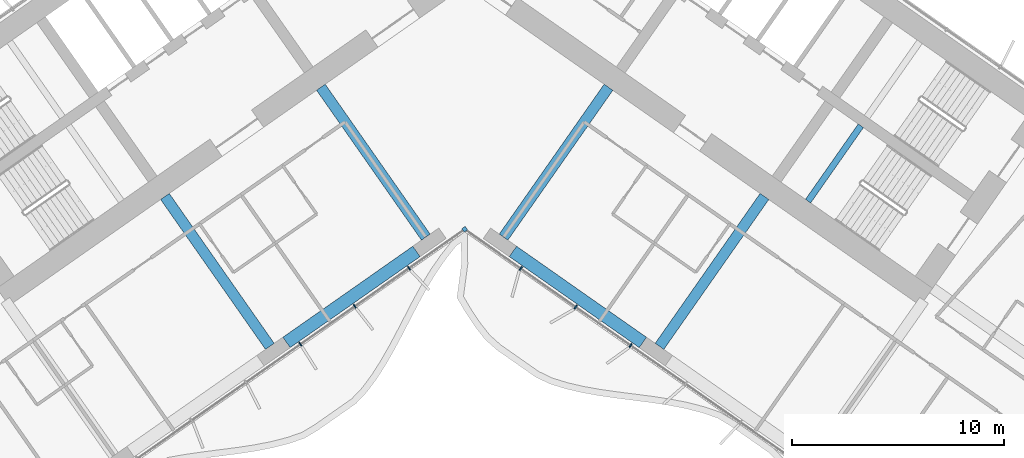
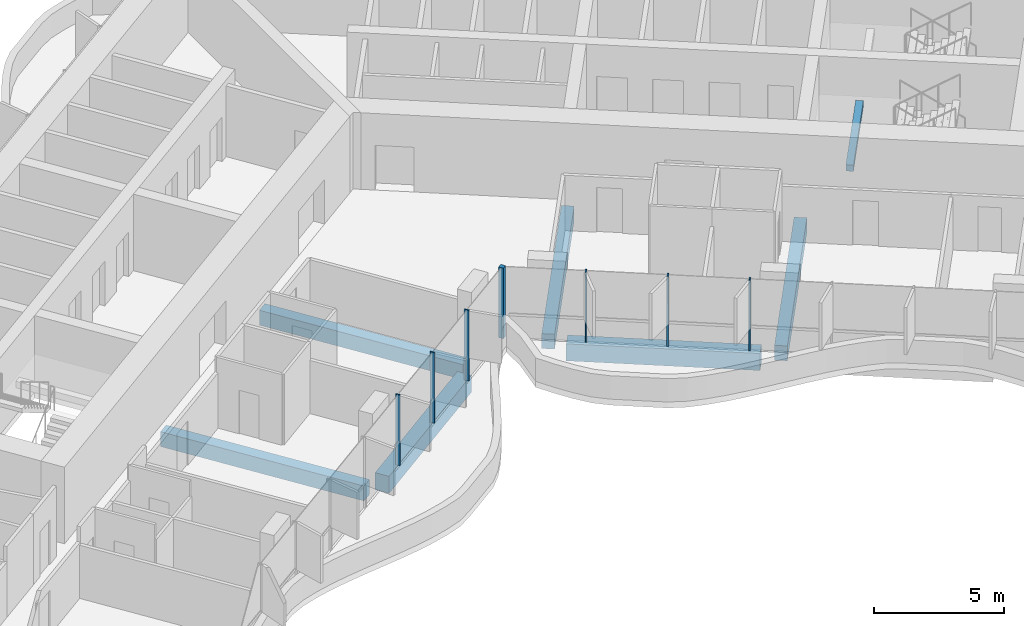
# One storey, part 6 of 23: 7 beams, 7 members, 1 element without a shape of its own.
"""IFC4 building model written with IfcOpenShell, lengths in metres."""

from ifc_helpers import new_model, si_unit, direction, frame, origin, origin_2d, place, context, subcontext, project, spatial, rectangle, extrude, material, material_profile, profile_set, type_object, element, aggregate, save


model = new_model("IFC4")

# Units and contexts
model_context = context("Model", 3, precision=1e-05, world=origin(), true_north=direction((0.0, 1.0)))
body_context = subcontext(model_context, "Body", "Model", "MODEL_VIEW")
ifc_project = project(units=[si_unit("LENGTHUNIT", "METRE"), si_unit("AREAUNIT", "SQUARE_METRE"), si_unit("VOLUMEUNIT", "CUBIC_METRE"), si_unit("PLANEANGLEUNIT", "RADIAN"), si_unit("MASSUNIT", "GRAM", prefix="KILO")], contexts=[model_context])

# Site, building, storey
site_placement = place(None, origin())
site = spatial("IfcSite", under=ifc_project, at=site_placement, CompositionType="ELEMENT")
building_placement = place(site_placement, origin())
building = spatial("IfcBuilding", under=site, at=building_placement, Name="Tel Ilan Convention Tower", CompositionType="ELEMENT")
storey_placement = place(building_placement, frame((0.0, 0.0, 83.300048828125)))
storey = spatial("IfcBuildingStorey", under=building, at=storey_placement, Name="L16", CompositionType="ELEMENT", Elevation=83.300048828125)

# Beams
ifc_material_1 = material(Name="Concrete C40/50", Category="concrete")
ifc_material_profile_1 = material_profile(ifc_material_1, rectangle(XDim=0.5, YDim=0.699951171875, at=origin_2d()), Name="RC 500x700")
ifc_profile_set_1 = profile_set([ifc_material_profile_1], Name="Concrete C40/50")
beam_type_1 = type_object("IfcBeamType", Name="Beam RC 500x700 Concrete C40/50", PredefinedType="BEAM", material=ifc_profile_set_1)
for number, where, z_axis, x_axis, name in (
    (1, (-1.83740234375, -13.06689453125, -0.630126953125), (-0.573574099654, 0.819153680457, 0.0), (-0.819153680457, -0.573574099654, 0.0), "L16 beam W-W-F1-core"),
    (2, (-9.209716796875, -18.229248046875, -0.630126953125), (-0.573574099654, 0.819153680457, 0.0), (-0.819153680457, -0.573574099654, 0.0), "L16 beam W-W-F2-core"),
    (3, (1.83740234375, -13.06689453125, -0.630126953125), (0.573574099654, 0.819153680457, 0.0), (-0.819153680457, 0.573574099654, 0.0), "L16 beam E-E-F1-core"),
    (4, (9.209716796875, -18.229248046875, -0.630126953125), (0.573574099654, 0.819153680457, 0.0), (-0.819153680457, 0.573574099654, 0.0), "L16 beam E-E-F2-core"),
):
    element("IfcBeam", number, at=place(storey_placement, frame(where, z_axis=z_axis, x_axis=x_axis)), inside=storey, type_object=beam_type_1, Name=name, PredefinedType="BEAM", context=body_context, shape_type="SweptSolid", body=[
        extrude(rectangle(XDim=0.5, YDim=0.699951171875, at=origin_2d()), origin(), (0.0, 0.0, 1.0), 8.64990234375),
    ])
ifc_material_2 = material(Name="Concrete C40/50", Category="concrete")
ifc_material_profile_2 = material_profile(ifc_material_2, rectangle(XDim=0.60009765625, YDim=0.800048828125, at=origin_2d()), Name="RC 600x800")
ifc_profile_set_2 = profile_set([ifc_material_profile_2], Name="Concrete C40/50")
beam_type_2 = type_object("IfcBeamType", Name="Beam RC 600x800 Concrete C40/50", PredefinedType="BEAM", material=ifc_profile_set_2)
for number, where, z_axis, x_axis, name in (
    (5, (-2.279541015625, -13.742919921875, -0.679931640625), (-0.819147803225, -0.57358249317, 0.0), (0.57358249317, -0.819147803225, 0.0), "L16 beam W-W-F1-W-F2"),
    (6, (2.279541015625, -13.742919921875, -0.679931640625), (0.819147803225, -0.57358249317, 0.0), (0.57358249317, 0.819147803225, 0.0), "L16 beam E-E-F1-E-F2"),
):
    element("IfcBeam", number, at=place(storey_placement, frame(where, z_axis=z_axis, x_axis=x_axis)), inside=storey, type_object=beam_type_2, Name=name, PredefinedType="BEAM", context=body_context, shape_type="SweptSolid", body=[
        extrude(rectangle(XDim=0.60009765625, YDim=0.800048828125, at=origin_2d()), origin(), (0.0, 0.0, 1.0), 7.500244140625),
    ])

# Curtain wall, members
ifc_material_3 = material(Name="Aluminium, bronze anodised", Category="aluminium")
curtain_wall_type = type_object("IfcCurtainWallType", Name="CW1 UNITISED CURTAIN WALL, HOTEL TINTED GLASS", PredefinedType="NOTDEFINED", material=ifc_material_3)
curtain_wall_placement = place(storey_placement, origin())
curtain_wall = element("IfcCurtainWall", 7, at=curtain_wall_placement, inside=storey, type_object=curtain_wall_type, Name="Curtain wall CW1-15.02", PredefinedType="NOTDEFINED")
ifc_material_4 = material(Name="Aluminium, bronze anodised", Category="aluminium")
ifc_material_profile_3 = material_profile(ifc_material_4, rectangle(XDim=0.199951171875, YDim=0.199951171875, at=origin_2d()), Name="CW CORNER MULLION 200x200")
ifc_profile_set_3 = profile_set([ifc_material_profile_3], Name="Aluminium, bronze anodised")
member_type_1 = type_object("IfcMemberType", Name="CW CORNER MULLION 200x200", PredefinedType="MULLION", material=ifc_profile_set_3)
member_1_placement = place(storey_placement, frame((0.0, -12.696044921875, 0.0), z_axis=(0.0, 0.0, 1.0), x_axis=(0.819152044289, 0.573576436351, 0.0)))
member_1 = element("IfcMember", 8, at=member_1_placement, type_object=member_type_1, Name="Corner mullion", PredefinedType="MULLION", context=body_context, shape_type="SweptSolid", body=[
    extrude(rectangle(XDim=0.199951171875, YDim=0.199951171875, at=origin_2d()), origin(), (0.0, 0.0, 1.0), 3.320068359375),
])
ifc_material_5 = material(Name="Aluminium, bronze anodised", Category="aluminium")
ifc_material_profile_4 = material_profile(ifc_material_5, rectangle(XDim=0.06005859375, YDim=0.199951171875, at=origin_2d()), Name="CW MULLION 60x200")
ifc_profile_set_4 = profile_set([ifc_material_profile_4], Name="Aluminium, bronze anodised")
member_type_2 = type_object("IfcMemberType", Name="CW MULLION 60x200", PredefinedType="MULLION", material=ifc_profile_set_4)
member_2_placement = place(storey_placement, frame((-7.76708984375, -18.134765625, 0.0), z_axis=(0.0, 0.0, 1.0), x_axis=(0.819152044289, 0.573576436351, 0.0)))
member_2 = element("IfcMember", 9, at=member_2_placement, type_object=member_type_2, Name="Mullion", PredefinedType="MULLION", context=body_context, shape_type="SweptSolid", body=[
    extrude(rectangle(XDim=0.06005859375, YDim=0.199951171875, at=origin_2d()), origin(), (0.0, 0.0, 1.0), 3.320068359375),
])
member_3_placement = place(storey_placement, frame((-5.197265625, -16.335205078125, 0.0), z_axis=(0.0, 0.0, 1.0), x_axis=(0.819152044289, 0.573576436351, 0.0)))
member_3 = element("IfcMember", 10, at=member_3_placement, type_object=member_type_2, Name="Mullion", PredefinedType="MULLION", context=body_context, shape_type="SweptSolid", body=[
    extrude(rectangle(XDim=0.06005859375, YDim=0.199951171875, at=origin_2d()), origin(), (0.0, 0.0, 1.0), 3.320068359375),
])
member_4_placement = place(storey_placement, frame((-2.627197265625, -14.53564453125, 0.0), z_axis=(0.0, 0.0, 1.0), x_axis=(0.819152044289, 0.573576436351, 0.0)))
member_4 = element("IfcMember", 11, at=member_4_placement, type_object=member_type_2, Name="Mullion", PredefinedType="MULLION", context=body_context, shape_type="SweptSolid", body=[
    extrude(rectangle(XDim=0.06005859375, YDim=0.199951171875, at=origin_2d()), origin(), (0.0, 0.0, 1.0), 3.320068359375),
])
member_5_placement = place(storey_placement, frame((2.65234375, -14.55322265625, 0.0), z_axis=(0.0, 0.0, 1.0), x_axis=(0.819152044289, -0.573576436351, 0.0)))
member_5 = element("IfcMember", 12, at=member_5_placement, type_object=member_type_2, Name="Mullion", PredefinedType="MULLION", context=body_context, shape_type="SweptSolid", body=[
    extrude(rectangle(XDim=0.06005859375, YDim=0.199951171875, at=origin_2d()), origin(), (0.0, 0.0, 1.0), 3.320068359375),
])
member_6_placement = place(storey_placement, frame((5.24755859375, -16.370361328125, 0.0), z_axis=(0.0, 0.0, 1.0), x_axis=(0.819152044289, -0.573576436351, 0.0)))
member_6 = element("IfcMember", 13, at=member_6_placement, type_object=member_type_2, Name="Mullion", PredefinedType="MULLION", context=body_context, shape_type="SweptSolid", body=[
    extrude(rectangle(XDim=0.06005859375, YDim=0.199951171875, at=origin_2d()), origin(), (0.0, 0.0, 1.0), 3.320068359375),
])
member_7_placement = place(storey_placement, frame((7.842529296875, -18.1875, 0.0), z_axis=(0.0, 0.0, 1.0), x_axis=(0.819152044289, -0.573576436351, 0.0)))
member_7 = element("IfcMember", 14, at=member_7_placement, type_object=member_type_2, Name="Mullion", PredefinedType="MULLION", context=body_context, shape_type="SweptSolid", body=[
    extrude(rectangle(XDim=0.06005859375, YDim=0.199951171875, at=origin_2d()), origin(), (0.0, 0.0, 1.0), 3.320068359375),
])
aggregate(curtain_wall, [member_2, member_3, member_4, member_1, member_5, member_6, member_7])

# Beam
ifc_material_6 = material(Name="Concrete C40/50", Category="concrete")
ifc_material_profile_5 = material_profile(ifc_material_6, rectangle(XDim=0.300048828125, YDim=0.300048828125, at=origin_2d()), Name="RC 300x300")
ifc_profile_set_5 = profile_set([ifc_material_profile_5], Name="Concrete C40/50")
beam_type_3 = type_object("IfcBeamType", Name="Landing Beam RC 300x300 Concrete C40/50", PredefinedType="BEAM", material=ifc_profile_set_5)
beam_placement = place(storey_placement, frame((18.726806640625, -7.80224609375, 1.449951171875), z_axis=(-0.573594173421, -0.819139624372, 0.0), x_axis=(0.819139624372, -0.573594173421, 0.0)))
element("IfcBeam", 15, at=beam_placement, inside=storey, type_object=beam_type_3, Name="S4 landing beam L16.1", PredefinedType="BEAM", context=body_context, shape_type="SweptSolid", body=[
    extrude(rectangle(XDim=0.300048828125, YDim=0.300048828125, at=origin_2d()), origin(), (0.0, 0.0, 1.0), 4.349853515625),
])

save(model, "model.ifc")
